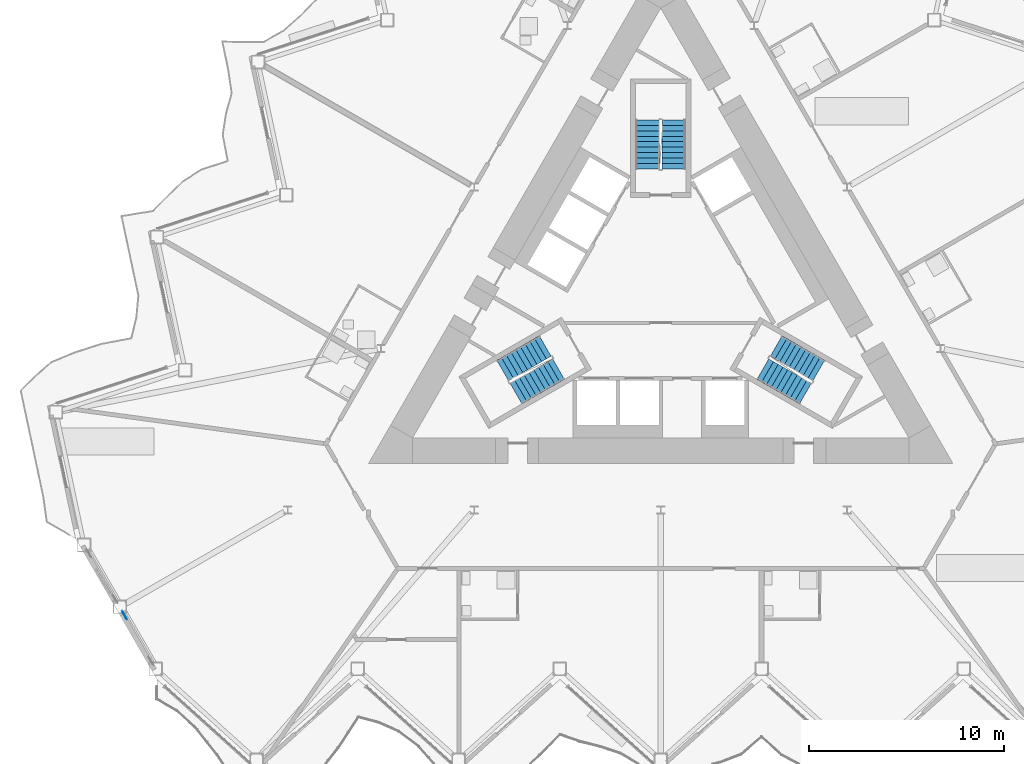
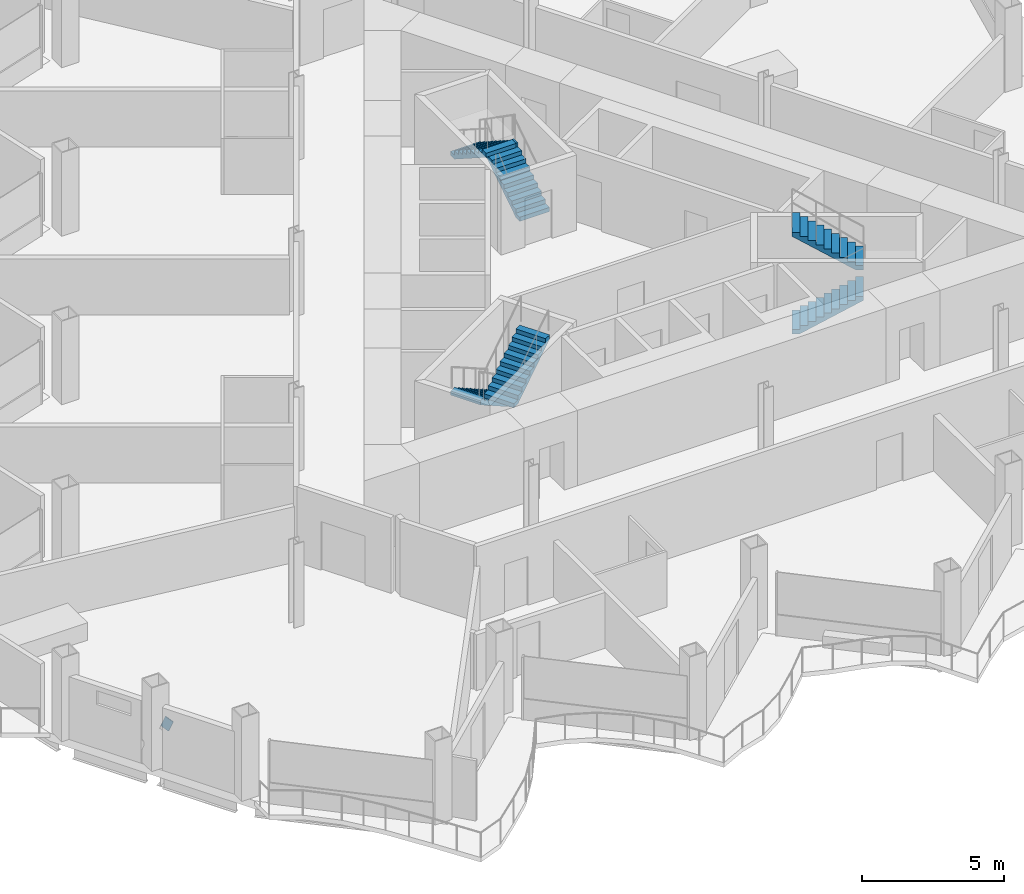
# One storey, part 15 of 23: 6 stair flights, 1 discrete accessory, 3 elements without a shape of their own.
"""IFC4 building model written with IfcOpenShell, lengths in metres."""

from ifc_helpers import new_model, si_unit, direction, frame, origin, origin_2d, place, context, subcontext, project, spatial, polyline, rectangle, outline, extrude, material, material_profile, profile_set, type_object, element, aggregate, save


model = new_model("IFC4")

# Units and contexts
model_context = context("Model", 3, precision=1e-05, world=origin(), true_north=direction((0.0, 1.0)))
body_context = subcontext(model_context, "Body", "Model", "MODEL_VIEW")
ifc_project = project(units=[si_unit("LENGTHUNIT", "METRE"), si_unit("AREAUNIT", "SQUARE_METRE"), si_unit("VOLUMEUNIT", "CUBIC_METRE"), si_unit("PLANEANGLEUNIT", "RADIAN"), si_unit("MASSUNIT", "GRAM", prefix="KILO")], contexts=[model_context])

# Site, building, storey
site_placement = place(None, origin())
site = spatial("IfcSite", under=ifc_project, at=site_placement, CompositionType="ELEMENT")
building_placement = place(site_placement, origin())
building = spatial("IfcBuilding", under=site, at=building_placement, Name="Cormorant Prow Tower", CompositionType="ELEMENT")
storey_placement = place(building_placement, frame((0.0, 0.0, 249.0)))
storey = spatial("IfcBuildingStorey", under=building, at=storey_placement, Name="L55", CompositionType="ELEMENT", Elevation=249.0)

# Stair, stair flights
ifc_material_1 = material(Name="Exit stair 20 risers")
stair_type = type_object("IfcStairType", Name="Exit stair 20 risers", PredefinedType="HALF_TURN_STAIR", material=ifc_material_1)
stair_1_placement = place(storey_placement, origin())
stair_1 = element("IfcStair", 1, at=stair_1_placement, inside=storey, type_object=stair_type, Name="L55 Exit stair ST1", PredefinedType="HALF_TURN_STAIR")
ifc_material_2 = material(Name="Concrete 5000 psi", Category="concrete")
stair_flight_type = type_object("IfcStairFlightType", Name="Stair flight 1219", PredefinedType="STRAIGHT", material=ifc_material_2)
stair_flight_1_placement = place(storey_placement, frame((-5.93310546875, -2.635009765625, 0.0), z_axis=(0.0, 0.0, 1.0), x_axis=(-0.866025403784, -0.5, 0.0)))
stair_flight_1 = element("IfcStairFlight", 2, at=stair_flight_1_placement, type_object=stair_flight_type, Name="ST1 flight 1", NumberOfRisers=10, NumberOfTreads=9, PredefinedType="STRAIGHT", RiserHeight=0.18, TreadLength=0.28, context=body_context, shape_type="SweptSolid", body=[
    extrude(outline(polyline([(0.0, 0.0), (0.0, 0.179931640625), (0.280029296875, 0.179931640625), (0.280029296875, 0.360107421875), (0.56005859375, 0.360107421875), (0.56005859375, 0.5400390625), (0.840087890625, 0.5400390625), (0.840087890625, 0.719970703125), (1.1201171875, 0.719970703125), (1.1201171875, 0.89990234375), (1.39990234375, 0.89990234375), (1.39990234375, 1.080078125), (1.679931640625, 1.080078125), (1.679931640625, 1.260009765625), (1.9599609375, 1.260009765625), (1.9599609375, 1.43994140625), (2.239990234375, 1.43994140625), (2.239990234375, 1.6201171875), (2.52001953125, 1.6201171875), (2.52001953125, 1.800048828125), (2.52001953125, 1.44189453125), (0.277099609375, 0.0), (0.0, 0.0)])), frame((0.0, 0.609375, 0.0), z_axis=(0.0, -1.0, 0.0), x_axis=(1.0, 0.0, 0.0)), (0.0, 0.0, 1.0), 1.218994140625),
])
stair_flight_2_placement = place(storey_placement, frame((-7.43115234375, -5.080810546875, 1.800048828125), z_axis=(0.0, 0.0, 1.0), x_axis=(0.866025403784, 0.5, 0.0)))
stair_flight_2 = element("IfcStairFlight", 3, at=stair_flight_2_placement, type_object=stair_flight_type, Name="ST1 flight 2", NumberOfRisers=10, NumberOfTreads=9, PredefinedType="STRAIGHT", RiserHeight=0.18, TreadLength=0.28, context=body_context, shape_type="SweptSolid", body=[
    extrude(outline(polyline([(0.0, 0.0), (0.0, 0.179931640625), (0.280029296875, 0.179931640625), (0.280029296875, 0.360107421875), (0.56005859375, 0.360107421875), (0.56005859375, 0.5400390625), (0.840087890625, 0.5400390625), (0.840087890625, 0.719970703125), (1.1201171875, 0.719970703125), (1.1201171875, 0.89990234375), (1.39990234375, 0.89990234375), (1.39990234375, 1.080078125), (1.679931640625, 1.080078125), (1.679931640625, 1.260009765625), (1.9599609375, 1.260009765625), (1.9599609375, 1.43994140625), (2.239990234375, 1.43994140625), (2.239990234375, 1.6201171875), (2.52001953125, 1.6201171875), (2.52001953125, 1.800048828125), (2.52001953125, 1.44189453125), (0.277099609375, 0.0), (0.0, 0.0)])), frame((0.0, 0.609375, 0.0), z_axis=(0.0, -1.0, 0.0), x_axis=(1.0, 0.0, 0.0)), (0.0, 0.0, 1.0), 1.218994140625),
])
aggregate(stair_1, [stair_flight_1, stair_flight_2])

stair_2_placement = place(storey_placement, origin())
stair_2 = element("IfcStair", 4, at=stair_2_placement, inside=storey, type_object=stair_type, Name="L55 Exit stair ST2", PredefinedType="HALF_TURN_STAIR")
stair_flight_3_placement = place(storey_placement, frame((5.24853515625, -3.82080078125, 0.0), z_axis=(0.0, 0.0, 1.0), x_axis=(0.866025403784, -0.5, 0.0)))
stair_flight_3 = element("IfcStairFlight", 5, at=stair_flight_3_placement, type_object=stair_flight_type, Name="ST2 flight 1", NumberOfRisers=10, NumberOfTreads=9, PredefinedType="STRAIGHT", RiserHeight=0.18, TreadLength=0.28, context=body_context, shape_type="SweptSolid", body=[
    extrude(outline(polyline([(0.0, 0.0), (0.0, 0.179931640625), (0.280029296875, 0.179931640625), (0.280029296875, 0.360107421875), (0.56005859375, 0.360107421875), (0.56005859375, 0.5400390625), (0.840087890625, 0.5400390625), (0.840087890625, 0.719970703125), (1.1201171875, 0.719970703125), (1.1201171875, 0.89990234375), (1.39990234375, 0.89990234375), (1.39990234375, 1.080078125), (1.679931640625, 1.080078125), (1.679931640625, 1.260009765625), (1.9599609375, 1.260009765625), (1.9599609375, 1.43994140625), (2.239990234375, 1.43994140625), (2.239990234375, 1.6201171875), (2.52001953125, 1.6201171875), (2.52001953125, 1.800048828125), (2.52001953125, 1.44189453125), (0.277099609375, 0.0), (0.0, 0.0)])), frame((0.0, 0.609375, 0.0), z_axis=(0.0, -1.0, 0.0), x_axis=(1.0, 0.0, 0.0)), (0.0, 0.0, 1.0), 1.218994140625),
])
stair_flight_4_placement = place(storey_placement, frame((8.115478515625, -3.89501953125, 1.800048828125), z_axis=(0.0, 0.0, 1.0), x_axis=(-0.866025403784, 0.5, 0.0)))
stair_flight_4 = element("IfcStairFlight", 6, at=stair_flight_4_placement, type_object=stair_flight_type, Name="ST2 flight 2", NumberOfRisers=10, NumberOfTreads=9, PredefinedType="STRAIGHT", RiserHeight=0.18, TreadLength=0.28, context=body_context, shape_type="SweptSolid", body=[
    extrude(outline(polyline([(0.0, 0.0), (0.0, 0.179931640625), (0.280029296875, 0.179931640625), (0.280029296875, 0.360107421875), (0.56005859375, 0.360107421875), (0.56005859375, 0.5400390625), (0.840087890625, 0.5400390625), (0.840087890625, 0.719970703125), (1.1201171875, 0.719970703125), (1.1201171875, 0.89990234375), (1.39990234375, 0.89990234375), (1.39990234375, 1.080078125), (1.679931640625, 1.080078125), (1.679931640625, 1.260009765625), (1.9599609375, 1.260009765625), (1.9599609375, 1.43994140625), (2.239990234375, 1.43994140625), (2.239990234375, 1.6201171875), (2.52001953125, 1.6201171875), (2.52001953125, 1.800048828125), (2.52001953125, 1.44189453125), (0.277099609375, 0.0), (0.0, 0.0)])), frame((0.0, 0.609375, 0.0), z_axis=(0.0, -1.0, 0.0), x_axis=(1.0, 0.0, 0.0)), (0.0, 0.0, 1.0), 1.218994140625),
])
aggregate(stair_2, [stair_flight_3, stair_flight_4])

stair_3_placement = place(storey_placement, origin())
stair_3 = element("IfcStair", 7, at=stair_3_placement, inside=storey, type_object=stair_type, Name="L55 Exit stair ST3", PredefinedType="HALF_TURN_STAIR")
stair_flight_5_placement = place(storey_placement, frame((0.6845703125, 6.455810546875, 0.0), z_axis=(0.0, 0.0, 1.0), x_axis=(0.0, 1.0, 0.0)))
stair_flight_5 = element("IfcStairFlight", 8, at=stair_flight_5_placement, type_object=stair_flight_type, Name="ST3 flight 1", NumberOfRisers=10, NumberOfTreads=9, PredefinedType="STRAIGHT", RiserHeight=0.18, TreadLength=0.28, context=body_context, shape_type="SweptSolid", body=[
    extrude(outline(polyline([(0.0, 0.0), (0.0, 0.179931640625), (0.280029296875, 0.179931640625), (0.280029296875, 0.360107421875), (0.56005859375, 0.360107421875), (0.56005859375, 0.5400390625), (0.840087890625, 0.5400390625), (0.840087890625, 0.719970703125), (1.1201171875, 0.719970703125), (1.1201171875, 0.89990234375), (1.39990234375, 0.89990234375), (1.39990234375, 1.080078125), (1.679931640625, 1.080078125), (1.679931640625, 1.260009765625), (1.9599609375, 1.260009765625), (1.9599609375, 1.43994140625), (2.239990234375, 1.43994140625), (2.239990234375, 1.6201171875), (2.52001953125, 1.6201171875), (2.52001953125, 1.800048828125), (2.52001953125, 1.44189453125), (0.277099609375, 0.0), (0.0, 0.0)])), frame((0.0, 0.609375, 0.0), z_axis=(0.0, -1.0, 0.0), x_axis=(1.0, 0.0, 0.0)), (0.0, 0.0, 1.0), 1.218994140625),
])
stair_flight_6_placement = place(storey_placement, frame((-0.6845703125, 8.975830078125, 1.800048828125), z_axis=(0.0, 0.0, 1.0), x_axis=(0.0, -1.0, 0.0)))
stair_flight_6 = element("IfcStairFlight", 9, at=stair_flight_6_placement, type_object=stair_flight_type, Name="ST3 flight 2", NumberOfRisers=10, NumberOfTreads=9, PredefinedType="STRAIGHT", RiserHeight=0.18, TreadLength=0.28, context=body_context, shape_type="SweptSolid", body=[
    extrude(outline(polyline([(0.0, 0.0), (0.0, 0.179931640625), (0.280029296875, 0.179931640625), (0.280029296875, 0.360107421875), (0.56005859375, 0.360107421875), (0.56005859375, 0.5400390625), (0.840087890625, 0.5400390625), (0.840087890625, 0.719970703125), (1.1201171875, 0.719970703125), (1.1201171875, 0.89990234375), (1.39990234375, 0.89990234375), (1.39990234375, 1.080078125), (1.679931640625, 1.080078125), (1.679931640625, 1.260009765625), (1.9599609375, 1.260009765625), (1.9599609375, 1.43994140625), (2.239990234375, 1.43994140625), (2.239990234375, 1.6201171875), (2.52001953125, 1.6201171875), (2.52001953125, 1.800048828125), (2.52001953125, 1.44189453125), (0.277099609375, 0.0), (0.0, 0.0)])), frame((0.0, 0.609375, 0.0), z_axis=(0.0, -1.0, 0.0), x_axis=(1.0, 0.0, 0.0)), (0.0, 0.0, 1.0), 1.218994140625),
])
aggregate(stair_3, [stair_flight_5, stair_flight_6])

# Discrete accessory
ifc_material_3 = material(Name="Structural steel ASTM A500 Gr C", Category="steel")
ifc_material_profile = material_profile(ifc_material_3, rectangle(XDim=0.031982421875, YDim=0.506103515625, at=origin_2d()), Name="Gusset plate 32x506")
ifc_profile_set = profile_set([ifc_material_profile], Name="Structural steel ASTM A500 Gr C")
discrete_accessory_type = type_object("IfcDiscreteAccessoryType", Name="Gusset plate 32x506", PredefinedType="BRACKET", material=ifc_profile_set)
discrete_accessory_placement = place(storey_placement, frame((-27.454833984375, -16.59375, 1.837890625), z_axis=(-0.46266066689, 0.801805590131, 0.37822335061), x_axis=(-0.866147934042, -0.499787711288, 0.0)))
element("IfcDiscreteAccessory", 10, at=discrete_accessory_placement, inside=storey, type_object=discrete_accessory_type, Name="Gusset plate GP2 L55.WSW01.g1", PredefinedType="BRACKET", context=body_context, shape_type="SweptSolid", body=[
    extrude(rectangle(XDim=0.031982421875, YDim=0.506103515625, at=origin_2d()), origin(), (0.0, 0.0, 1.0), 0.349853515625),
])

save(model, "model.ifc")
